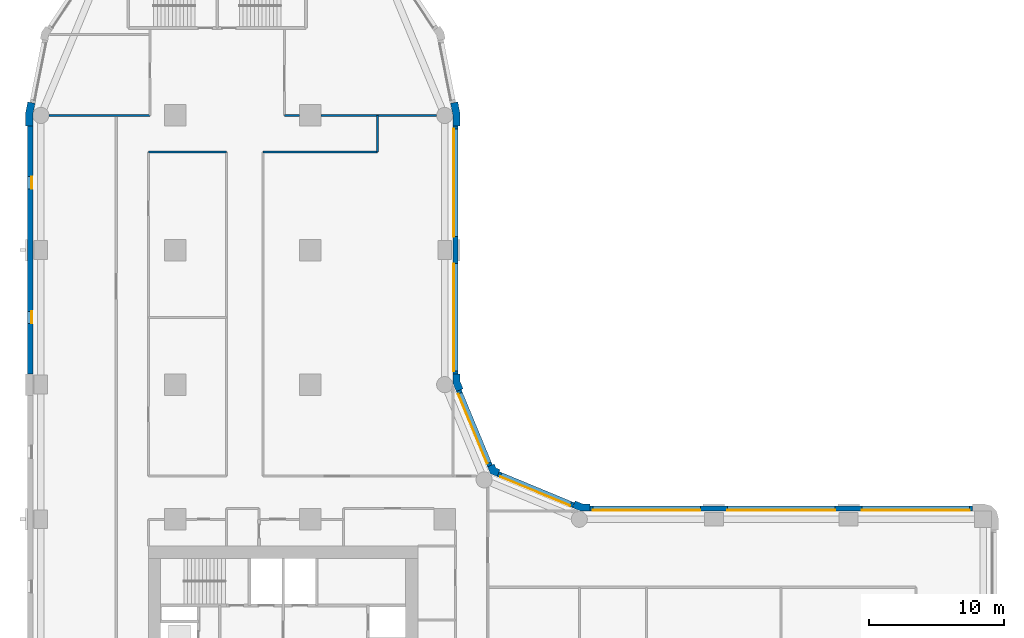
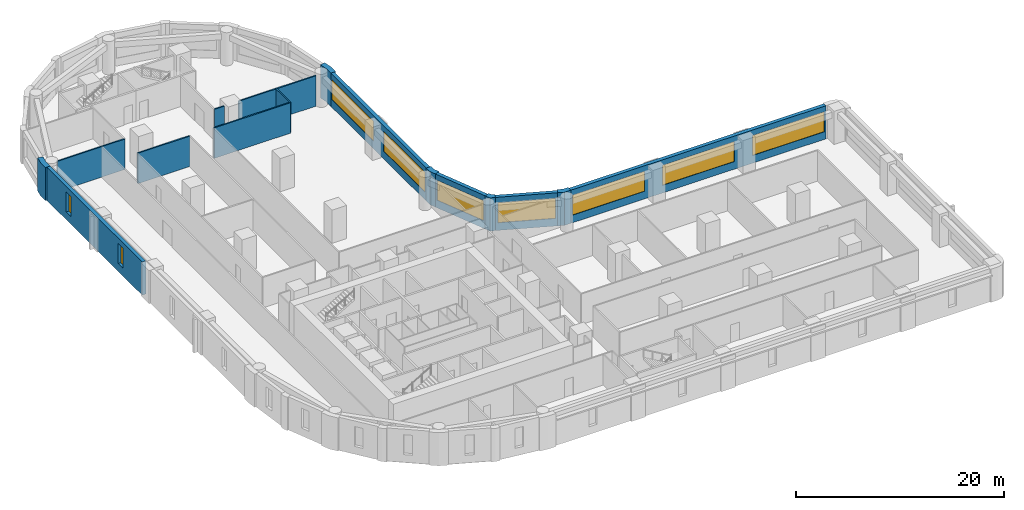
# One storey, part 6 of 11: 16 walls, 9 windows, 9 openings.
"""IFC4 building model written with IfcOpenShell, lengths in metres."""

from ifc_helpers import new_model, si_unit, direction, frame, frame_2d, origin, place, context, subcontext, project, spatial, polyline, rectangle, outline, extrude, material, layer, layer_set, type_object, element, fill, save


model = new_model("IFC4")

# Units and contexts
model_context = context("Model", 3, precision=1e-05, world=origin(), true_north=direction((0.0, 1.0)))
body_context = subcontext(model_context, "Body", "Model", "MODEL_VIEW")
ifc_project = project(units=[si_unit("LENGTHUNIT", "METRE"), si_unit("AREAUNIT", "SQUARE_METRE"), si_unit("VOLUMEUNIT", "CUBIC_METRE"), si_unit("PLANEANGLEUNIT", "RADIAN"), si_unit("MASSUNIT", "GRAM", prefix="KILO")], contexts=[model_context])

# Site, building, storey
site_placement = place(None, origin())
site = spatial("IfcSite", under=ifc_project, at=site_placement, CompositionType="ELEMENT")
building_placement = place(site_placement, origin())
building = spatial("IfcBuilding", under=site, at=building_placement, Name="Qaws Garden Tower", CompositionType="ELEMENT")
storey_placement = place(building_placement, frame((0.0, 0.0, 86.10009765625)))
storey = spatial("IfcBuildingStorey", under=building, at=storey_placement, Name="L21", CompositionType="ELEMENT", Elevation=86.10009765625)

# Wall, openings, windows
ifc_material_1 = material(Name="Clay facing brick masonry", Category="masonry")
ifc_layer_1 = layer(ifc_material_1, 0.39990234375)
ifc_layer_set_1 = layer_set([ifc_layer_1], Name="Clay facing brick masonry")
wall_type_1 = type_object("IfcWallType", Name="Brick infill wall 400", PredefinedType="SOLIDWALL", material=ifc_layer_set_1)
wall_1_placement = place(storey_placement, frame((69.199951171875, 30.800048828125, 0.0), z_axis=(0.0, 0.0, 1.0), x_axis=(-1.0, 0.0, 0.0)))
wall_1 = element("IfcWall", 1, at=wall_1_placement, inside=storey, type_object=wall_type_1, Name="E-L21-infill-08", PredefinedType="SOLIDWALL", context=body_context, shape_type="SweptSolid", body=[
    extrude(rectangle(XDim=28.39990234375, YDim=0.39990234375, at=frame_2d((14.199951171875, 0.0))), origin(), (0.0, 0.0, 1.0), 3.89990234375),
])
opening_1_placement = place(wall_1_placement, frame((0.199951171875, 0.0, 0.89990234375)))
opening_1 = element("IfcOpeningElement", 2, at=opening_1_placement, cuts=wall_1, Name="Opening W01", PredefinedType="OPENING", context=body_context, shape_type="SweptSolid", body=[
    extrude(rectangle(XDim=8.0, YDim=2.35009765625, at=frame_2d((4.0, 1.175048828125))), frame((0.0, 0.2099609375, 0.0), z_axis=(0.0, -1.0, 0.0), x_axis=(1.0, 0.0, 0.0)), (0.0, 0.0, 1.0), 0.419921875),
])
opening_2_placement = place(wall_1_placement, frame((10.199951171875, 0.0, 0.89990234375)))
opening_2 = element("IfcOpeningElement", 3, at=opening_2_placement, cuts=wall_1, Name="Opening W01", PredefinedType="OPENING", context=body_context, shape_type="SweptSolid", body=[
    extrude(rectangle(XDim=8.0, YDim=2.35009765625, at=frame_2d((4.0, 1.175048828125))), frame((0.0, 0.2099609375, 0.0), z_axis=(0.0, -1.0, 0.0), x_axis=(1.0, 0.0, 0.0)), (0.0, 0.0, 1.0), 0.419921875),
])
opening_3_placement = place(wall_1_placement, frame((20.199951171875, 0.0, 0.89990234375)))
opening_3 = element("IfcOpeningElement", 4, at=opening_3_placement, cuts=wall_1, Name="Opening W01", PredefinedType="OPENING", context=body_context, shape_type="SweptSolid", body=[
    extrude(rectangle(XDim=8.0, YDim=2.35009765625, at=frame_2d((4.0, 1.175048828125))), frame((0.0, 0.2099609375, 0.0), z_axis=(0.0, -1.0, 0.0), x_axis=(1.0, 0.0, 0.0)), (0.0, 0.0, 1.0), 0.419921875),
])
ifc_material_2 = material(Name="Aluminium framed window, clear glazing", Category="aluminium")
window_type_1 = type_object("IfcWindowType", Name="Ribbon window 8000 x 2350", PartitioningType="DOUBLE_PANEL_VERTICAL", PredefinedType="WINDOW", material=ifc_material_2)
window_1_placement = place(opening_1_placement, origin())
window_1 = element("IfcWindow", 5, at=window_1_placement, inside=storey, type_object=window_type_1, Name="E-L21-window-08-0", OverallHeight=2.35009765625, OverallWidth=8.0, PartitioningType="SINGLE_PANEL", PredefinedType="WINDOW", context=body_context, shape_type="SweptSolid", body=[
    extrude(rectangle(XDim=8.0, YDim=2.35009765625, at=frame_2d((4.0, 1.175048828125))), frame((0.0, 0.159912109375, 0.0), z_axis=(0.0, -1.0, 0.0), x_axis=(1.0, 0.0, 0.0)), (0.0, 0.0, 1.0), 0.06005859375),
])
fill(opening_1, window_1)
window_2_placement = place(opening_2_placement, origin())
window_2 = element("IfcWindow", 6, at=window_2_placement, inside=storey, type_object=window_type_1, Name="E-L21-window-09-0", OverallHeight=2.35009765625, OverallWidth=8.0, PartitioningType="SINGLE_PANEL", PredefinedType="WINDOW", context=body_context, shape_type="SweptSolid", body=[
    extrude(rectangle(XDim=8.0, YDim=2.35009765625, at=frame_2d((4.0, 1.175048828125))), frame((0.0, 0.159912109375, 0.0), z_axis=(0.0, -1.0, 0.0), x_axis=(1.0, 0.0, 0.0)), (0.0, 0.0, 1.0), 0.06005859375),
])
fill(opening_2, window_2)
window_3_placement = place(opening_3_placement, origin())
window_3 = element("IfcWindow", 7, at=window_3_placement, inside=storey, type_object=window_type_1, Name="E-L21-window-10-0", OverallHeight=2.35009765625, OverallWidth=8.0, PartitioningType="SINGLE_PANEL", PredefinedType="WINDOW", context=body_context, shape_type="SweptSolid", body=[
    extrude(rectangle(XDim=8.0, YDim=2.35009765625, at=frame_2d((4.0, 1.175048828125))), frame((0.0, 0.159912109375, 0.0), z_axis=(0.0, -1.0, 0.0), x_axis=(1.0, 0.0, 0.0)), (0.0, 0.0, 1.0), 0.06005859375),
])
fill(opening_3, window_3)

# Wall, opening, window
wall_2_placement = place(storey_placement, frame((39.56689453125, 31.04541015625, 0.0), z_axis=(0.0, 0.0, 1.0), x_axis=(-0.923891000409, 0.382655745237, 0.0)))
wall_2 = element("IfcWall", 8, at=wall_2_placement, inside=storey, type_object=wall_type_1, Name="E-L21-infill-11", PredefinedType="SOLIDWALL", context=body_context, shape_type="SweptSolid", body=[
    extrude(rectangle(XDim=6.053466796875, YDim=0.39990234375, at=frame_2d((3.02685546875, 0.0))), origin(), (0.0, 0.0, 1.0), 3.89990234375),
])
opening_4_placement = place(wall_2_placement, frame((0.226806640625, 0.0, 0.89990234375)))
opening_4 = element("IfcOpeningElement", 9, at=opening_4_placement, cuts=wall_2, Name="Opening W04", PredefinedType="OPENING", context=body_context, shape_type="SweptSolid", body=[
    extrude(rectangle(XDim=5.60009765625, YDim=2.35009765625, at=frame_2d((2.800048828125, 1.175048828125))), frame((0.0, 0.2099609375, 0.0), z_axis=(0.0, -1.0, 0.0), x_axis=(1.0, 0.0, 0.0)), (0.0, 0.0, 1.0), 0.419921875),
])
ifc_material_3 = material(Name="Aluminium framed window, clear glazing", Category="aluminium")
window_type_2 = type_object("IfcWindowType", Name="Ribbon window 5600 x 2350", PartitioningType="DOUBLE_PANEL_VERTICAL", PredefinedType="WINDOW", material=ifc_material_3)
window_4_placement = place(opening_4_placement, origin())
window_4 = element("IfcWindow", 10, at=window_4_placement, inside=storey, type_object=window_type_2, Name="E-L21-window-11-0", OverallHeight=2.35009765625, OverallWidth=5.60009765625, PartitioningType="SINGLE_PANEL", PredefinedType="WINDOW", context=body_context, shape_type="SweptSolid", body=[
    extrude(rectangle(XDim=5.60009765625, YDim=2.35009765625, at=frame_2d((2.800048828125, 1.175048828125))), frame((0.0, 0.159912109375, 0.0), z_axis=(0.0, -1.0, 0.0), x_axis=(1.0, 0.0, 0.0)), (0.0, 0.0, 1.0), 0.06005859375),
])
fill(opening_4, window_4)

wall_3_placement = place(storey_placement, frame((33.36181640625, 33.97412109375, 0.0), z_axis=(0.0, 0.0, 1.0), x_axis=(-0.382655745237, 0.923891000409, 0.0)))
wall_3 = element("IfcWall", 11, at=wall_3_placement, inside=storey, type_object=wall_type_1, Name="E-L21-infill-12", PredefinedType="SOLIDWALL", context=body_context, shape_type="SweptSolid", body=[
    extrude(rectangle(XDim=6.053466796875, YDim=0.39990234375, at=frame_2d((3.02685546875, 0.0))), origin(), (0.0, 0.0, 1.0), 3.89990234375),
])
opening_5_placement = place(wall_3_placement, frame((0.226806640625, 0.0, 0.89990234375)))
opening_5 = element("IfcOpeningElement", 12, at=opening_5_placement, cuts=wall_3, Name="Opening W04", PredefinedType="OPENING", context=body_context, shape_type="SweptSolid", body=[
    extrude(rectangle(XDim=5.60009765625, YDim=2.35009765625, at=frame_2d((2.800048828125, 1.175048828125))), frame((0.0, 0.2099609375, 0.0), z_axis=(0.0, -1.0, 0.0), x_axis=(1.0, 0.0, 0.0)), (0.0, 0.0, 1.0), 0.419921875),
])
window_5_placement = place(opening_5_placement, origin())
window_5 = element("IfcWindow", 13, at=window_5_placement, inside=storey, type_object=window_type_2, Name="E-L21-window-12-0", OverallHeight=2.35009765625, OverallWidth=5.60009765625, PartitioningType="SINGLE_PANEL", PredefinedType="WINDOW", context=body_context, shape_type="SweptSolid", body=[
    extrude(rectangle(XDim=5.60009765625, YDim=2.35009765625, at=frame_2d((2.800048828125, 1.175048828125))), frame((0.0, 0.159912109375, 0.0), z_axis=(0.0, -1.0, 0.0), x_axis=(1.0, 0.0, 0.0)), (0.0, 0.0, 1.0), 0.06005859375),
])
fill(opening_5, window_5)

# Wall, openings, windows
wall_4_placement = place(storey_placement, frame((30.800048828125, 40.800048828125, 0.0), z_axis=(0.0, 0.0, 1.0), x_axis=(0.0, 1.0, 0.0)))
wall_4 = element("IfcWall", 14, at=wall_4_placement, inside=storey, type_object=wall_type_1, Name="E-L21-infill-13", PredefinedType="SOLIDWALL", context=body_context, shape_type="SweptSolid", body=[
    extrude(rectangle(XDim=18.39990234375, YDim=0.39990234375, at=frame_2d((9.199951171875, 0.0))), origin(), (0.0, 0.0, 1.0), 3.89990234375),
])
opening_6_placement = place(wall_4_placement, frame((0.199951171875, 0.0, 0.89990234375)))
opening_6 = element("IfcOpeningElement", 15, at=opening_6_placement, cuts=wall_4, Name="Opening W01", PredefinedType="OPENING", context=body_context, shape_type="SweptSolid", body=[
    extrude(rectangle(XDim=8.0, YDim=2.35009765625, at=frame_2d((4.0, 1.175048828125))), frame((0.0, 0.2099609375, 0.0), z_axis=(0.0, -1.0, 0.0), x_axis=(1.0, 0.0, 0.0)), (0.0, 0.0, 1.0), 0.419921875),
])
opening_7_placement = place(wall_4_placement, frame((10.199951171875, 0.0, 0.89990234375)))
opening_7 = element("IfcOpeningElement", 16, at=opening_7_placement, cuts=wall_4, Name="Opening W01", PredefinedType="OPENING", context=body_context, shape_type="SweptSolid", body=[
    extrude(rectangle(XDim=8.0, YDim=2.35009765625, at=frame_2d((4.0, 1.175048828125))), frame((0.0, 0.2099609375, 0.0), z_axis=(0.0, -1.0, 0.0), x_axis=(1.0, 0.0, 0.0)), (0.0, 0.0, 1.0), 0.419921875),
])
window_6_placement = place(opening_6_placement, origin())
window_6 = element("IfcWindow", 17, at=window_6_placement, inside=storey, type_object=window_type_1, Name="E-L21-window-13-0", OverallHeight=2.35009765625, OverallWidth=8.0, PartitioningType="SINGLE_PANEL", PredefinedType="WINDOW", context=body_context, shape_type="SweptSolid", body=[
    extrude(rectangle(XDim=8.0, YDim=2.35009765625, at=frame_2d((4.0, 1.175048828125))), frame((0.0, 0.159912109375, 0.0), z_axis=(0.0, -1.0, 0.0), x_axis=(1.0, 0.0, 0.0)), (0.0, 0.0, 1.0), 0.06005859375),
])
fill(opening_6, window_6)
window_7_placement = place(opening_7_placement, origin())
window_7 = element("IfcWindow", 18, at=window_7_placement, inside=storey, type_object=window_type_1, Name="E-L21-window-14-0", OverallHeight=2.35009765625, OverallWidth=8.0, PartitioningType="SINGLE_PANEL", PredefinedType="WINDOW", context=body_context, shape_type="SweptSolid", body=[
    extrude(rectangle(XDim=8.0, YDim=2.35009765625, at=frame_2d((4.0, 1.175048828125))), frame((0.0, 0.159912109375, 0.0), z_axis=(0.0, -1.0, 0.0), x_axis=(1.0, 0.0, 0.0)), (0.0, 0.0, 1.0), 0.06005859375),
])
fill(opening_7, window_7)

wall_5_placement = place(storey_placement, frame((-0.800048828125, 59.199951171875, 0.0), z_axis=(0.0, 0.0, 1.0), x_axis=(0.0, -1.0, 0.0)))
wall_5 = element("IfcWall", 19, at=wall_5_placement, inside=storey, type_object=wall_type_1, Name="E-L21-infill-23", PredefinedType="SOLIDWALL", context=body_context, shape_type="SweptSolid", body=[
    extrude(rectangle(XDim=18.39990234375, YDim=0.39990234375, at=frame_2d((9.199951171875, 0.0))), origin(), (0.0, 0.0, 1.0), 3.89990234375),
])
opening_8_placement = place(wall_5_placement, frame((3.75, 0.0, 0.89990234375)))
opening_8 = element("IfcOpeningElement", 20, at=opening_8_placement, cuts=wall_5, Name="Opening W09", PredefinedType="OPENING", context=body_context, shape_type="SweptSolid", body=[
    extrude(rectangle(XDim=0.89990234375, YDim=2.35009765625, at=frame_2d((0.449951171875, 1.175048828125))), frame((0.0, 0.2099609375, 0.0), z_axis=(0.0, -1.0, 0.0), x_axis=(1.0, 0.0, 0.0)), (0.0, 0.0, 1.0), 0.419921875),
])
opening_9_placement = place(wall_5_placement, frame((13.75, 0.0, 0.89990234375)))
opening_9 = element("IfcOpeningElement", 21, at=opening_9_placement, cuts=wall_5, Name="Opening W09", PredefinedType="OPENING", context=body_context, shape_type="SweptSolid", body=[
    extrude(rectangle(XDim=0.89990234375, YDim=2.35009765625, at=frame_2d((0.449951171875, 1.175048828125))), frame((0.0, 0.2099609375, 0.0), z_axis=(0.0, -1.0, 0.0), x_axis=(1.0, 0.0, 0.0)), (0.0, 0.0, 1.0), 0.419921875),
])
ifc_material_4 = material(Name="Aluminium framed window, clear glazing", Category="aluminium")
window_type_3 = type_object("IfcWindowType", Name="Slit window 900 x 2350", PartitioningType="SINGLE_PANEL", PredefinedType="WINDOW", material=ifc_material_4)
window_8_placement = place(opening_8_placement, origin())
window_8 = element("IfcWindow", 22, at=window_8_placement, inside=storey, type_object=window_type_3, Name="E-L21-window-23-0", OverallHeight=2.35009765625, OverallWidth=0.89990234375, PartitioningType="SINGLE_PANEL", PredefinedType="WINDOW", context=body_context, shape_type="SweptSolid", body=[
    extrude(rectangle(XDim=0.89990234375, YDim=2.35009765625, at=frame_2d((0.449951171875, 1.175048828125))), frame((0.0, 0.159912109375, 0.0), z_axis=(0.0, -1.0, 0.0), x_axis=(1.0, 0.0, 0.0)), (0.0, 0.0, 1.0), 0.06005859375),
])
fill(opening_8, window_8)
window_9_placement = place(opening_9_placement, origin())
window_9 = element("IfcWindow", 23, at=window_9_placement, inside=storey, type_object=window_type_3, Name="E-L21-window-24-0", OverallHeight=2.35009765625, OverallWidth=0.89990234375, PartitioningType="SINGLE_PANEL", PredefinedType="WINDOW", context=body_context, shape_type="SweptSolid", body=[
    extrude(rectangle(XDim=0.89990234375, YDim=2.35009765625, at=frame_2d((0.449951171875, 1.175048828125))), frame((0.0, 0.159912109375, 0.0), z_axis=(0.0, -1.0, 0.0), x_axis=(1.0, 0.0, 0.0)), (0.0, 0.0, 1.0), 0.06005859375),
])
fill(opening_9, window_9)

# Walls
ifc_material_5 = material(Name="Clay facing brick masonry", Category="masonry")
ifc_layer_2 = layer(ifc_material_5, 0.550048828125)
ifc_layer_set_2 = layer_set([ifc_layer_2], Name="Clay facing brick masonry")
wall_type_2 = type_object("IfcWallType", Name="Brick pier 550 x 1600", PredefinedType="SOLIDWALL", material=ifc_layer_set_2)
placement = place(storey_placement, origin())
element("IfcWall", 24, at=placement, inside=storey, type_object=wall_type_2, Name="E-L21-pier-11", PredefinedType="SOLIDWALL", context=body_context, shape_type="SweptSolid", body=[
    extrude(outline(polyline([(40.800048828125, 31.0), (40.800048828125, 31.14990234375), (40.228759765625, 31.14990234375), (39.700927734375, 31.36865234375), (39.6435546875, 31.22998046875), (39.490478515625, 30.860595703125), (40.119384765625, 30.60009765625), (40.800048828125, 30.60009765625), (40.800048828125, 31.0)])), origin(), (0.0, 0.0, 1.0), 3.89990234375),
])
element("IfcWall", 25, at=placement, inside=storey, type_object=wall_type_2, Name="E-L21-pier-12", PredefinedType="SOLIDWALL", context=body_context, shape_type="SweptSolid", body=[
    extrude(outline(polyline([(34.05078125, 33.546630859375), (34.108154296875, 33.685302734375), (33.80908203125, 33.80908203125), (33.685302734375, 34.108154296875), (33.546630859375, 34.05078125), (33.177001953125, 33.897705078125), (33.38818359375, 33.38818359375), (33.897705078125, 33.177001953125), (34.05078125, 33.546630859375)])), origin(), (0.0, 0.0, 1.0), 3.89990234375),
])
element("IfcWall", 26, at=placement, inside=storey, type_object=wall_type_2, Name="E-L21-pier-13", PredefinedType="SOLIDWALL", context=body_context, shape_type="SweptSolid", body=[
    extrude(outline(polyline([(31.22998046875, 39.6435546875), (31.36865234375, 39.700927734375), (31.14990234375, 40.228759765625), (31.14990234375, 40.800048828125), (31.0, 40.800048828125), (30.60009765625, 40.800048828125), (30.60009765625, 40.119384765625), (30.860595703125, 39.490478515625), (31.22998046875, 39.6435546875)])), origin(), (0.0, 0.0, 1.0), 3.89990234375),
])
element("IfcWall", 27, at=placement, inside=storey, type_object=wall_type_2, Name="E-L21-pier-15", PredefinedType="SOLIDWALL", context=body_context, shape_type="SweptSolid", body=[
    extrude(outline(polyline([(31.0, 59.199951171875), (31.14990234375, 59.199951171875), (31.14990234375, 60.11328125), (30.971923828125, 61.009033203125), (30.82470703125, 60.979736328125), (30.432373046875, 60.901611328125), (30.60009765625, 60.05908203125), (30.60009765625, 59.199951171875), (31.0, 59.199951171875)])), origin(), (0.0, 0.0, 1.0), 3.89990234375),
])
element("IfcWall", 28, at=placement, inside=storey, type_object=wall_type_2, Name="E-L21-pier-23", PredefinedType="SOLIDWALL", context=body_context, shape_type="SweptSolid", body=[
    extrude(outline(polyline([(-0.82470703125, 60.979736328125), (-0.971923828125, 61.009033203125), (-1.14990234375, 60.11328125), (-1.14990234375, 59.199951171875), (-1.0, 59.199951171875), (-0.60009765625, 59.199951171875), (-0.60009765625, 60.05908203125), (-0.432373046875, 60.901611328125), (-0.82470703125, 60.979736328125)])), origin(), (0.0, 0.0, 1.0), 3.89990234375),
])
ifc_material_6 = material(Name="Gypsum board partition")
ifc_layer_3 = layer(ifc_material_6, 0.14990234375)
ifc_layer_set_3 = layer_set([ifc_layer_3], Name="Gypsum board partition")
wall_type_3 = type_object("IfcWallType", Name="PARTITION 150 EI 60", PredefinedType="PARTITIONING", material=ifc_layer_set_3)
wall_11_placement = place(storey_placement, frame((25.0, 57.300048828125, 0.0), z_axis=(0.0, 0.0, 1.0), x_axis=(0.0, 1.0, 0.0)))
element("IfcWall", 29, at=wall_11_placement, inside=storey, type_object=wall_type_3, Name="O-L21-wall-013", PredefinedType="PARTITIONING", context=body_context, shape_type="SweptSolid", body=[
    extrude(rectangle(XDim=2.699951171875, YDim=0.14990234375, at=frame_2d((1.35009765625, 0.0))), origin(), (0.0, 0.0, 1.0), 3.579833984375),
])
wall_12_placement = place(storey_placement, frame((8.0, 57.300048828125, 0.0), z_axis=(0.0, 0.0, 1.0), x_axis=(1.0, 0.0, 0.0)))
element("IfcWall", 30, at=wall_12_placement, inside=storey, type_object=wall_type_3, Name="O-L21-wall-054", PredefinedType="PARTITIONING", context=body_context, shape_type="SweptSolid", body=[
    extrude(rectangle(XDim=5.800048828125, YDim=0.14990234375, at=frame_2d((2.89990234375, 0.0))), origin(), (0.0, 0.0, 1.0), 3.579833984375),
])
wall_13_placement = place(storey_placement, frame((16.5, 57.300048828125, 0.0), z_axis=(0.0, 0.0, 1.0), x_axis=(1.0, 0.0, 0.0)))
element("IfcWall", 31, at=wall_13_placement, inside=storey, type_object=wall_type_3, Name="O-L21-wall-055", PredefinedType="PARTITIONING", context=body_context, shape_type="SweptSolid", body=[
    extrude(rectangle(XDim=8.5, YDim=0.14990234375, at=frame_2d((4.25, 0.0))), origin(), (0.0, 0.0, 1.0), 3.579833984375),
])
wall_14_placement = place(storey_placement, frame((0.60009765625, 60.0, 0.0), z_axis=(0.0, 0.0, 1.0), x_axis=(1.0, 0.0, 0.0)))
element("IfcWall", 32, at=wall_14_placement, inside=storey, type_object=wall_type_3, Name="O-L21-wall-056", PredefinedType="PARTITIONING", context=body_context, shape_type="SweptSolid", body=[
    extrude(rectangle(XDim=7.5, YDim=0.14990234375, at=frame_2d((3.75, 0.0))), origin(), (0.0, 0.0, 1.0), 3.579833984375),
])
wall_15_placement = place(storey_placement, frame((18.10009765625, 60.0, 0.0), z_axis=(0.0, 0.0, 1.0), x_axis=(1.0, 0.0, 0.0)))
element("IfcWall", 33, at=wall_15_placement, inside=storey, type_object=wall_type_3, Name="O-L21-wall-057", PredefinedType="PARTITIONING", context=body_context, shape_type="SweptSolid", body=[
    extrude(rectangle(XDim=1.099853515625, YDim=0.14990234375, at=frame_2d((0.5498046875, 0.0))), origin(), (0.0, 0.0, 1.0), 3.579833984375),
])
wall_16_placement = place(storey_placement, frame((20.800048828125, 60.0, 0.0), z_axis=(0.0, 0.0, 1.0), x_axis=(1.0, 0.0, 0.0)))
element("IfcWall", 34, at=wall_16_placement, inside=storey, type_object=wall_type_3, Name="O-L21-wall-058", PredefinedType="PARTITIONING", context=body_context, shape_type="SweptSolid", body=[
    extrude(rectangle(XDim=8.599853515625, YDim=0.14990234375, at=frame_2d((4.2998046875, 0.0))), origin(), (0.0, 0.0, 1.0), 3.579833984375),
])

save(model, "model.ifc")
